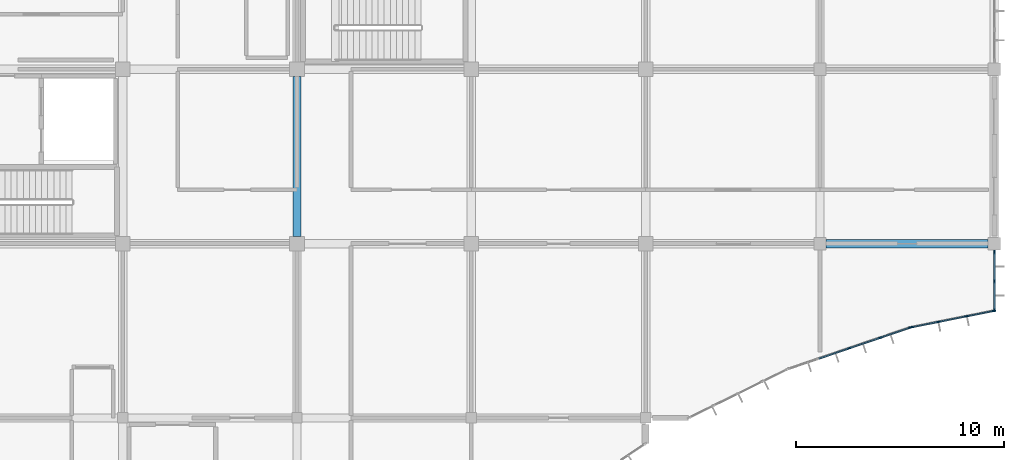
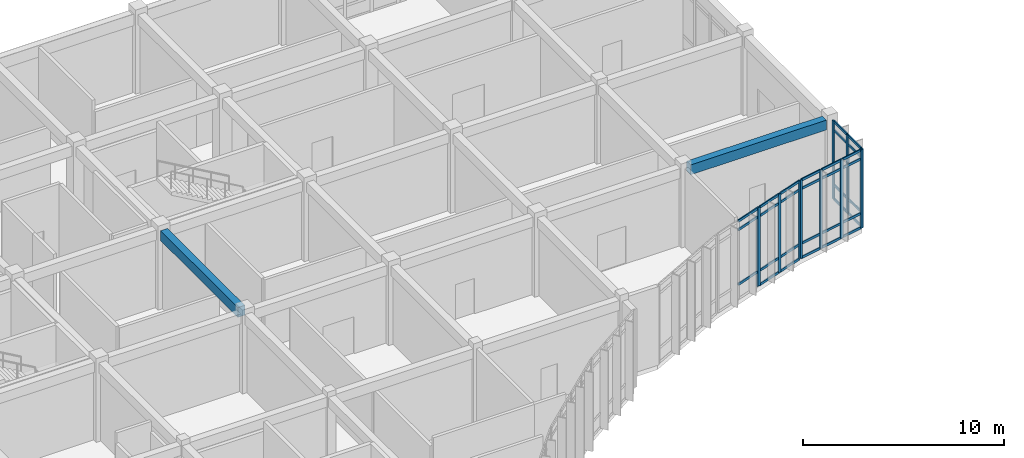
# One storey, part 62 of 134: 41 members, 2 beams, 3 elements without a shape of their own.
"""IFC4 building model written with IfcOpenShell, lengths in metres."""

from ifc_helpers import new_model, si_unit, direction, frame, origin, origin_2d, place, context, subcontext, project, spatial, rectangle, extrude, material, layer, layer_set, material_profile, profile_set, type_object, element, aggregate, save


model = new_model("IFC4")

# Units and contexts
model_context = context("Model", 3, precision=1e-05, world=origin(), true_north=direction((0.0, 1.0)))
body_context = subcontext(model_context, "Body", "Model", "MODEL_VIEW")
ifc_project = project(units=[si_unit("LENGTHUNIT", "METRE"), si_unit("AREAUNIT", "SQUARE_METRE"), si_unit("VOLUMEUNIT", "CUBIC_METRE"), si_unit("PLANEANGLEUNIT", "RADIAN"), si_unit("MASSUNIT", "GRAM", prefix="KILO")], contexts=[model_context])

# Site, building, storey
site_placement = place(None, origin())
site = spatial("IfcSite", under=ifc_project, at=site_placement, CompositionType="ELEMENT")
building_placement = place(site_placement, origin())
building = spatial("IfcBuilding", under=site, at=building_placement, Name="Bramfleet General Hospital", CompositionType="ELEMENT")
storey_placement = place(building_placement, frame((0.0, 0.0, 9.300048828125)))
storey = spatial("IfcBuildingStorey", under=building, at=storey_placement, Name="L02", CompositionType="ELEMENT", Elevation=9.300048828125)

# Beams
ifc_material_1 = material(Name="Concrete C35/45", Category="concrete")
ifc_material_profile_1 = material_profile(ifc_material_1, rectangle(XDim=0.39990234375, YDim=0.60009765625, at=origin_2d()), Name="RC BM 600x400")
ifc_profile_set_1 = profile_set([ifc_material_profile_1], Name="Concrete C35/45")
beam_type = type_object("IfcBeamType", Name="BM-RC600", PredefinedType="BEAM", material=ifc_profile_set_1)
beam_1_placement = place(storey_placement, frame((159.89990234375, 92.39990234375, 4.47998046875), z_axis=(1.0, 0.0, 0.0), x_axis=(0.0, 1.0, 0.0)))
element("IfcBeam", 1, at=beam_1_placement, inside=storey, type_object=beam_type, Name="L02 Grid Beam X 19-11", PredefinedType="BEAM", context=body_context, shape_type="SweptSolid", body=[
    extrude(rectangle(XDim=0.39990234375, YDim=0.60009765625, at=origin_2d()), origin(), (0.0, 0.0, 1.0), 7.800048828125),
])
beam_2_placement = place(storey_placement, frame((134.39990234375, 92.75, 4.47998046875), z_axis=(0.0, 1.0, 0.0), x_axis=(-1.0, 0.0, 0.0)))
element("IfcBeam", 2, at=beam_2_placement, inside=storey, type_object=beam_type, Name="L02 Grid Beam Y 16-11", PredefinedType="BEAM", context=body_context, shape_type="SweptSolid", body=[
    extrude(rectangle(XDim=0.39990234375, YDim=0.60009765625, at=origin_2d()), origin(), (0.0, 0.0, 1.0), 7.699951171875),
])

# Curtain wall, members
ifc_material_2 = material(Name="Anodised aluminium and low-E triple glazing", Category="aluminium")
ifc_layer_1 = layer(ifc_material_2, 0.179931640625, Name="CWT-CW-12")
ifc_layer_set_1 = layer_set([ifc_layer_1], Name="Anodised aluminium and low-E triple glazing")
curtain_wall_type_1 = type_object("IfcCurtainWallType", Name="CWT-CW-12", PredefinedType="USERDEFINED", material=ifc_layer_set_1)
curtain_wall_1_placement = place(storey_placement, origin())
curtain_wall_1 = element("IfcCurtainWall", 3, at=curtain_wall_1_placement, inside=storey, type_object=curtain_wall_type_1, Name="L02 Curtain Wall 102", ObjectType="Stick curtain wall", PredefinedType="USERDEFINED")
ifc_material_3 = material(Name="Structural timber GL28h", Category="wood")
ifc_material_profile_2 = material_profile(ifc_material_3, rectangle(XDim=0.070068359375, YDim=0.18994140625, at=origin_2d()), Name="LARCH 190x70")
ifc_profile_set_2 = profile_set([ifc_material_profile_2], Name="Structural timber GL28h")
member_type_1 = type_object("IfcMemberType", Name="CWM-LARCH450", PredefinedType="MULLION", material=ifc_profile_set_2)
member_1_placement = place(storey_placement, frame((168.0, 91.989990234375, 0.0), z_axis=(0.0, 0.0, 1.0), x_axis=(1.0, 0.0, 0.0)))
member_1 = element("IfcMember", 4, at=member_1_placement, type_object=member_type_1, Name="CW-12 mullion 1", PredefinedType="MULLION", context=body_context, shape_type="SweptSolid", body=[
    extrude(rectangle(XDim=0.070068359375, YDim=0.18994140625, at=origin_2d()), origin(), (0.0, 0.0, 1.0), 4.77001953125),
])
member_2_placement = place(storey_placement, frame((168.0, 90.594970703125, 0.0), z_axis=(0.0, 0.0, 1.0), x_axis=(1.0, 0.0, 0.0)))
member_2 = element("IfcMember", 5, at=member_2_placement, type_object=member_type_1, Name="CW-12 mullion 2", PredefinedType="MULLION", context=body_context, shape_type="SweptSolid", body=[
    extrude(rectangle(XDim=0.070068359375, YDim=0.18994140625, at=origin_2d()), origin(), (0.0, 0.0, 1.0), 4.77001953125),
])
member_3_placement = place(storey_placement, frame((168.0, 89.199951171875, 0.0), z_axis=(0.0, 0.0, 1.0), x_axis=(1.0, 0.0, 0.0)))
member_3 = element("IfcMember", 6, at=member_3_placement, type_object=member_type_1, Name="CW-12 mullion 3", PredefinedType="MULLION", context=body_context, shape_type="SweptSolid", body=[
    extrude(rectangle(XDim=0.070068359375, YDim=0.18994140625, at=origin_2d()), origin(), (0.0, 0.0, 1.0), 4.77001953125),
])

ifc_layer_2 = layer(ifc_material_2, 0.179931640625, Name="CWT-CW-13")
ifc_layer_set_2 = layer_set([ifc_layer_2], Name="Anodised aluminium and low-E triple glazing")
curtain_wall_type_2 = type_object("IfcCurtainWallType", Name="CWT-CW-13", PredefinedType="USERDEFINED", material=ifc_layer_set_2)
curtain_wall_2_placement = place(storey_placement, origin())
curtain_wall_2 = element("IfcCurtainWall", 7, at=curtain_wall_2_placement, inside=storey, type_object=curtain_wall_type_2, Name="L02 Curtain Wall 103", ObjectType="Stick curtain wall", PredefinedType="USERDEFINED")
member_4_placement = place(storey_placement, frame((167.965576171875, 89.158203125, 0.0), z_axis=(0.0, 0.0, 1.0), x_axis=(0.195272189606, -0.980749087161, 0.0)))
member_4 = element("IfcMember", 8, at=member_4_placement, type_object=member_type_1, Name="CW-13 mullion 1", PredefinedType="MULLION", context=body_context, shape_type="SweptSolid", body=[
    extrude(rectangle(XDim=0.070068359375, YDim=0.18994140625, at=origin_2d()), origin(), (0.0, 0.0, 1.0), 4.77001953125),
])
member_5_placement = place(storey_placement, frame((166.658935546875, 88.89794921875, 0.0), z_axis=(0.0, 0.0, 1.0), x_axis=(0.195272189606, -0.980749087161, 0.0)))
member_5 = element("IfcMember", 9, at=member_5_placement, type_object=member_type_1, Name="CW-13 mullion 2", PredefinedType="MULLION", context=body_context, shape_type="SweptSolid", body=[
    extrude(rectangle(XDim=0.070068359375, YDim=0.18994140625, at=origin_2d()), origin(), (0.0, 0.0, 1.0), 4.77001953125),
])
member_6_placement = place(storey_placement, frame((165.318115234375, 88.631103515625, 0.0), z_axis=(0.0, 0.0, 1.0), x_axis=(0.195272189606, -0.980749087161, 0.0)))
member_6 = element("IfcMember", 10, at=member_6_placement, type_object=member_type_1, Name="CW-13 mullion 3", PredefinedType="MULLION", context=body_context, shape_type="SweptSolid", body=[
    extrude(rectangle(XDim=0.070068359375, YDim=0.18994140625, at=origin_2d()), origin(), (0.0, 0.0, 1.0), 4.77001953125),
])
member_7_placement = place(storey_placement, frame((164.01123046875, 88.370849609375, 0.0), z_axis=(0.0, 0.0, 1.0), x_axis=(0.195272189606, -0.980749087161, 0.0)))
member_7 = element("IfcMember", 11, at=member_7_placement, type_object=member_type_1, Name="CW-13 mullion 4", PredefinedType="MULLION", context=body_context, shape_type="SweptSolid", body=[
    extrude(rectangle(XDim=0.070068359375, YDim=0.18994140625, at=origin_2d()), origin(), (0.0, 0.0, 1.0), 4.77001953125),
])

ifc_layer_3 = layer(ifc_material_2, 0.179931640625, Name="CWT-CW-14")
ifc_layer_set_3 = layer_set([ifc_layer_3], Name="Anodised aluminium and low-E triple glazing")
curtain_wall_type_3 = type_object("IfcCurtainWallType", Name="CWT-CW-14", PredefinedType="USERDEFINED", material=ifc_layer_set_3)
curtain_wall_3_placement = place(storey_placement, origin())
curtain_wall_3 = element("IfcCurtainWall", 12, at=curtain_wall_3_placement, inside=storey, type_object=curtain_wall_type_3, Name="L02 Curtain Wall 104", ObjectType="Stick curtain wall", PredefinedType="USERDEFINED")
member_8_placement = place(storey_placement, frame((163.94384765625, 88.352783203125, 0.0), z_axis=(0.0, 0.0, 1.0), x_axis=(0.321383054181, -0.946949276617, 0.0)))
member_8 = element("IfcMember", 13, at=member_8_placement, type_object=member_type_1, Name="CW-14 mullion 1", PredefinedType="MULLION", context=body_context, shape_type="SweptSolid", body=[
    extrude(rectangle(XDim=0.070068359375, YDim=0.18994140625, at=origin_2d()), origin(), (0.0, 0.0, 1.0), 4.77001953125),
])
member_9_placement = place(storey_placement, frame((162.490478515625, 87.859619140625, 0.0), z_axis=(0.0, 0.0, 1.0), x_axis=(0.321383054181, -0.946949276617, 0.0)))
member_9 = element("IfcMember", 14, at=member_9_placement, type_object=member_type_1, Name="CW-14 mullion 2", PredefinedType="MULLION", context=body_context, shape_type="SweptSolid", body=[
    extrude(rectangle(XDim=0.070068359375, YDim=0.18994140625, at=origin_2d()), origin(), (0.0, 0.0, 1.0), 4.77001953125),
])
member_10_placement = place(storey_placement, frame((161.00390625, 87.35498046875, 0.0), z_axis=(0.0, 0.0, 1.0), x_axis=(0.321383054181, -0.946949276617, 0.0)))
member_10 = element("IfcMember", 15, at=member_10_placement, type_object=member_type_1, Name="CW-14 mullion 3", PredefinedType="MULLION", context=body_context, shape_type="SweptSolid", body=[
    extrude(rectangle(XDim=0.070068359375, YDim=0.18994140625, at=origin_2d()), origin(), (0.0, 0.0, 1.0), 4.77001953125),
])

# Member
ifc_material_profile_3 = material_profile(ifc_material_3, rectangle(XDim=0.06494140625, YDim=0.14990234375, at=origin_2d()), Name="LARCH 150x65")
ifc_profile_set_3 = profile_set([ifc_material_profile_3], Name="Structural timber GL28h")
member_type_2 = type_object("IfcMemberType", Name="CWT-LARCH220", PredefinedType="USERDEFINED", material=ifc_profile_set_3)
member_11_placement = place(storey_placement, frame((168.0, 91.955078125, 0.032470703125), z_axis=(0.0, -1.0, 0.0), x_axis=(1.0, 0.0, 0.0)))
member_11 = element("IfcMember", 16, at=member_11_placement, type_object=member_type_2, Name="CW-12 transom 1.1", ObjectType="TRANSOM", PredefinedType="USERDEFINED", context=body_context, shape_type="SweptSolid", body=[
    extrude(rectangle(XDim=0.06494140625, YDim=0.14990234375, at=origin_2d()), origin(), (0.0, 0.0, 1.0), 1.3251953125),
])

member_12_placement = place(storey_placement, frame((168.0, 91.955078125, 0.89990234375), z_axis=(0.0, -1.0, 0.0), x_axis=(1.0, 0.0, 0.0)))
member_12 = element("IfcMember", 17, at=member_12_placement, type_object=member_type_2, Name="CW-12 transom 1.2", ObjectType="TRANSOM", PredefinedType="USERDEFINED", context=body_context, shape_type="SweptSolid", body=[
    extrude(rectangle(XDim=0.06494140625, YDim=0.14990234375, at=origin_2d()), origin(), (0.0, 0.0, 1.0), 1.3251953125),
])

member_13_placement = place(storey_placement, frame((168.0, 91.955078125, 4.219970703125), z_axis=(0.0, -1.0, 0.0), x_axis=(1.0, 0.0, 0.0)))
member_13 = element("IfcMember", 18, at=member_13_placement, type_object=member_type_2, Name="CW-12 transom 1.3", ObjectType="TRANSOM", PredefinedType="USERDEFINED", context=body_context, shape_type="SweptSolid", body=[
    extrude(rectangle(XDim=0.06494140625, YDim=0.14990234375, at=origin_2d()), origin(), (0.0, 0.0, 1.0), 1.3251953125),
])

member_14_placement = place(storey_placement, frame((168.0, 91.955078125, 4.737548828125), z_axis=(0.0, -1.0, 0.0), x_axis=(1.0, 0.0, 0.0)))
member_14 = element("IfcMember", 19, at=member_14_placement, type_object=member_type_2, Name="CW-12 transom 1.4", ObjectType="TRANSOM", PredefinedType="USERDEFINED", context=body_context, shape_type="SweptSolid", body=[
    extrude(rectangle(XDim=0.06494140625, YDim=0.14990234375, at=origin_2d()), origin(), (0.0, 0.0, 1.0), 1.3251953125),
])

member_15_placement = place(storey_placement, frame((168.0, 90.56005859375, 0.032470703125), z_axis=(0.0, -1.0, 0.0), x_axis=(1.0, 0.0, 0.0)))
member_15 = element("IfcMember", 20, at=member_15_placement, type_object=member_type_2, Name="CW-12 transom 2.1", ObjectType="TRANSOM", PredefinedType="USERDEFINED", context=body_context, shape_type="SweptSolid", body=[
    extrude(rectangle(XDim=0.06494140625, YDim=0.14990234375, at=origin_2d()), origin(), (0.0, 0.0, 1.0), 1.324951171875),
])

member_16_placement = place(storey_placement, frame((168.0, 90.56005859375, 0.89990234375), z_axis=(0.0, -1.0, 0.0), x_axis=(1.0, 0.0, 0.0)))
member_16 = element("IfcMember", 21, at=member_16_placement, type_object=member_type_2, Name="CW-12 transom 2.2", ObjectType="TRANSOM", PredefinedType="USERDEFINED", context=body_context, shape_type="SweptSolid", body=[
    extrude(rectangle(XDim=0.06494140625, YDim=0.14990234375, at=origin_2d()), origin(), (0.0, 0.0, 1.0), 1.324951171875),
])

member_17_placement = place(storey_placement, frame((168.0, 90.56005859375, 4.219970703125), z_axis=(0.0, -1.0, 0.0), x_axis=(1.0, 0.0, 0.0)))
member_17 = element("IfcMember", 22, at=member_17_placement, type_object=member_type_2, Name="CW-12 transom 2.3", ObjectType="TRANSOM", PredefinedType="USERDEFINED", context=body_context, shape_type="SweptSolid", body=[
    extrude(rectangle(XDim=0.06494140625, YDim=0.14990234375, at=origin_2d()), origin(), (0.0, 0.0, 1.0), 1.324951171875),
])

member_18_placement = place(storey_placement, frame((168.0, 90.56005859375, 4.737548828125), z_axis=(0.0, -1.0, 0.0), x_axis=(1.0, 0.0, 0.0)))
member_18 = element("IfcMember", 23, at=member_18_placement, type_object=member_type_2, Name="CW-12 transom 2.4", ObjectType="TRANSOM", PredefinedType="USERDEFINED", context=body_context, shape_type="SweptSolid", body=[
    extrude(rectangle(XDim=0.06494140625, YDim=0.14990234375, at=origin_2d()), origin(), (0.0, 0.0, 1.0), 1.324951171875),
])

aggregate(curtain_wall_1, [member_1, member_2, member_3, member_11, member_12, member_13, member_14, member_15, member_16, member_17, member_18])

member_19_placement = place(storey_placement, frame((167.931396484375, 89.1513671875, 0.032470703125), z_axis=(-0.980736573153, -0.195335030346, 0.0), x_axis=(0.195335030346, -0.980736573153, 0.0)))
member_19 = element("IfcMember", 24, at=member_19_placement, type_object=member_type_2, Name="CW-13 transom 1.1", ObjectType="TRANSOM", PredefinedType="USERDEFINED", context=body_context, shape_type="SweptSolid", body=[
    extrude(rectangle(XDim=0.06494140625, YDim=0.14990234375, at=origin_2d()), origin(), (0.0, 0.0, 1.0), 1.262451171875),
])

member_20_placement = place(storey_placement, frame((167.931396484375, 89.1513671875, 0.89990234375), z_axis=(-0.980736573153, -0.195335030346, 0.0), x_axis=(0.195335030346, -0.980736573153, 0.0)))
member_20 = element("IfcMember", 25, at=member_20_placement, type_object=member_type_2, Name="CW-13 transom 1.2", ObjectType="TRANSOM", PredefinedType="USERDEFINED", context=body_context, shape_type="SweptSolid", body=[
    extrude(rectangle(XDim=0.06494140625, YDim=0.14990234375, at=origin_2d()), origin(), (0.0, 0.0, 1.0), 1.262451171875),
])

member_21_placement = place(storey_placement, frame((167.931396484375, 89.1513671875, 4.219970703125), z_axis=(-0.980736573153, -0.195335030346, 0.0), x_axis=(0.195335030346, -0.980736573153, 0.0)))
member_21 = element("IfcMember", 26, at=member_21_placement, type_object=member_type_2, Name="CW-13 transom 1.3", ObjectType="TRANSOM", PredefinedType="USERDEFINED", context=body_context, shape_type="SweptSolid", body=[
    extrude(rectangle(XDim=0.06494140625, YDim=0.14990234375, at=origin_2d()), origin(), (0.0, 0.0, 1.0), 1.262451171875),
])

member_22_placement = place(storey_placement, frame((167.931396484375, 89.1513671875, 4.737548828125), z_axis=(-0.980736573153, -0.195335030346, 0.0), x_axis=(0.195335030346, -0.980736573153, 0.0)))
member_22 = element("IfcMember", 27, at=member_22_placement, type_object=member_type_2, Name="CW-13 transom 1.4", ObjectType="TRANSOM", PredefinedType="USERDEFINED", context=body_context, shape_type="SweptSolid", body=[
    extrude(rectangle(XDim=0.06494140625, YDim=0.14990234375, at=origin_2d()), origin(), (0.0, 0.0, 1.0), 1.262451171875),
])

member_23_placement = place(storey_placement, frame((166.624755859375, 88.89111328125, 0.032470703125), z_axis=(-0.9807756029, -0.195138967806, 0.0), x_axis=(0.195138967806, -0.9807756029, 0.0)))
member_23 = element("IfcMember", 28, at=member_23_placement, type_object=member_type_2, Name="CW-13 transom 2.1", ObjectType="TRANSOM", PredefinedType="USERDEFINED", context=body_context, shape_type="SweptSolid", body=[
    extrude(rectangle(XDim=0.06494140625, YDim=0.14990234375, at=origin_2d()), origin(), (0.0, 0.0, 1.0), 1.29736328125),
])

member_24_placement = place(storey_placement, frame((166.624755859375, 88.89111328125, 0.89990234375), z_axis=(-0.9807756029, -0.195138967806, 0.0), x_axis=(0.195138967806, -0.9807756029, 0.0)))
member_24 = element("IfcMember", 29, at=member_24_placement, type_object=member_type_2, Name="CW-13 transom 2.2", ObjectType="TRANSOM", PredefinedType="USERDEFINED", context=body_context, shape_type="SweptSolid", body=[
    extrude(rectangle(XDim=0.06494140625, YDim=0.14990234375, at=origin_2d()), origin(), (0.0, 0.0, 1.0), 1.29736328125),
])

member_25_placement = place(storey_placement, frame((166.624755859375, 88.89111328125, 4.219970703125), z_axis=(-0.9807756029, -0.195138967806, 0.0), x_axis=(0.195138967806, -0.9807756029, 0.0)))
member_25 = element("IfcMember", 30, at=member_25_placement, type_object=member_type_2, Name="CW-13 transom 2.3", ObjectType="TRANSOM", PredefinedType="USERDEFINED", context=body_context, shape_type="SweptSolid", body=[
    extrude(rectangle(XDim=0.06494140625, YDim=0.14990234375, at=origin_2d()), origin(), (0.0, 0.0, 1.0), 1.29736328125),
])

member_26_placement = place(storey_placement, frame((166.624755859375, 88.89111328125, 4.737548828125), z_axis=(-0.9807756029, -0.195138967806, 0.0), x_axis=(0.195138967806, -0.9807756029, 0.0)))
member_26 = element("IfcMember", 31, at=member_26_placement, type_object=member_type_2, Name="CW-13 transom 2.4", ObjectType="TRANSOM", PredefinedType="USERDEFINED", context=body_context, shape_type="SweptSolid", body=[
    extrude(rectangle(XDim=0.06494140625, YDim=0.14990234375, at=origin_2d()), origin(), (0.0, 0.0, 1.0), 1.29736328125),
])

member_27_placement = place(storey_placement, frame((165.28369140625, 88.624267578125, 0.032470703125), z_axis=(-0.980736573153, -0.195335030346, 0.0), x_axis=(0.195335030346, -0.980736573153, 0.0)))
member_27 = element("IfcMember", 32, at=member_27_placement, type_object=member_type_2, Name="CW-13 transom 3.1", ObjectType="TRANSOM", PredefinedType="USERDEFINED", context=body_context, shape_type="SweptSolid", body=[
    extrude(rectangle(XDim=0.06494140625, YDim=0.14990234375, at=origin_2d()), origin(), (0.0, 0.0, 1.0), 1.262451171875),
])

member_28_placement = place(storey_placement, frame((165.28369140625, 88.624267578125, 0.89990234375), z_axis=(-0.980736573153, -0.195335030346, 0.0), x_axis=(0.195335030346, -0.980736573153, 0.0)))
member_28 = element("IfcMember", 33, at=member_28_placement, type_object=member_type_2, Name="CW-13 transom 3.2", ObjectType="TRANSOM", PredefinedType="USERDEFINED", context=body_context, shape_type="SweptSolid", body=[
    extrude(rectangle(XDim=0.06494140625, YDim=0.14990234375, at=origin_2d()), origin(), (0.0, 0.0, 1.0), 1.262451171875),
])

member_29_placement = place(storey_placement, frame((165.28369140625, 88.624267578125, 4.219970703125), z_axis=(-0.980736573153, -0.195335030346, 0.0), x_axis=(0.195335030346, -0.980736573153, 0.0)))
member_29 = element("IfcMember", 34, at=member_29_placement, type_object=member_type_2, Name="CW-13 transom 3.3", ObjectType="TRANSOM", PredefinedType="USERDEFINED", context=body_context, shape_type="SweptSolid", body=[
    extrude(rectangle(XDim=0.06494140625, YDim=0.14990234375, at=origin_2d()), origin(), (0.0, 0.0, 1.0), 1.262451171875),
])

member_30_placement = place(storey_placement, frame((165.28369140625, 88.624267578125, 4.737548828125), z_axis=(-0.980736573153, -0.195335030346, 0.0), x_axis=(0.195335030346, -0.980736573153, 0.0)))
member_30 = element("IfcMember", 35, at=member_30_placement, type_object=member_type_2, Name="CW-13 transom 3.4", ObjectType="TRANSOM", PredefinedType="USERDEFINED", context=body_context, shape_type="SweptSolid", body=[
    extrude(rectangle(XDim=0.06494140625, YDim=0.14990234375, at=origin_2d()), origin(), (0.0, 0.0, 1.0), 1.262451171875),
])

aggregate(curtain_wall_2, [member_4, member_5, member_6, member_7, member_19, member_20, member_21, member_22, member_23, member_24, member_25, member_26, member_27, member_28, member_29, member_30])

member_31_placement = place(storey_placement, frame((163.91064453125, 88.341552734375, 0.032470703125), z_axis=(-0.946952433244, -0.321373753088, 0.0), x_axis=(0.321373753088, -0.946952433244, 0.0)))
member_31 = element("IfcMember", 36, at=member_31_placement, type_object=member_type_2, Name="CW-14 transom 1.1", ObjectType="TRANSOM", PredefinedType="USERDEFINED", context=body_context, shape_type="SweptSolid", body=[
    extrude(rectangle(XDim=0.06494140625, YDim=0.14990234375, at=origin_2d()), origin(), (0.0, 0.0, 1.0), 1.464599609375),
])

member_32_placement = place(storey_placement, frame((163.91064453125, 88.341552734375, 0.89990234375), z_axis=(-0.946952433244, -0.321373753088, 0.0), x_axis=(0.321373753088, -0.946952433244, 0.0)))
member_32 = element("IfcMember", 37, at=member_32_placement, type_object=member_type_2, Name="CW-14 transom 1.2", ObjectType="TRANSOM", PredefinedType="USERDEFINED", context=body_context, shape_type="SweptSolid", body=[
    extrude(rectangle(XDim=0.06494140625, YDim=0.14990234375, at=origin_2d()), origin(), (0.0, 0.0, 1.0), 1.464599609375),
])

member_33_placement = place(storey_placement, frame((163.91064453125, 88.341552734375, 4.219970703125), z_axis=(-0.946952433244, -0.321373753088, 0.0), x_axis=(0.321373753088, -0.946952433244, 0.0)))
member_33 = element("IfcMember", 38, at=member_33_placement, type_object=member_type_2, Name="CW-14 transom 1.3", ObjectType="TRANSOM", PredefinedType="USERDEFINED", context=body_context, shape_type="SweptSolid", body=[
    extrude(rectangle(XDim=0.06494140625, YDim=0.14990234375, at=origin_2d()), origin(), (0.0, 0.0, 1.0), 1.464599609375),
])

member_34_placement = place(storey_placement, frame((163.91064453125, 88.341552734375, 4.737548828125), z_axis=(-0.946952433244, -0.321373753088, 0.0), x_axis=(0.321373753088, -0.946952433244, 0.0)))
member_34 = element("IfcMember", 39, at=member_34_placement, type_object=member_type_2, Name="CW-14 transom 1.4", ObjectType="TRANSOM", PredefinedType="USERDEFINED", context=body_context, shape_type="SweptSolid", body=[
    extrude(rectangle(XDim=0.06494140625, YDim=0.14990234375, at=origin_2d()), origin(), (0.0, 0.0, 1.0), 1.464599609375),
])

member_35_placement = place(storey_placement, frame((162.457275390625, 87.84814453125, 0.032470703125), z_axis=(-0.946960124542, -0.321351089195, 0.0), x_axis=(0.321351089195, -0.946960124542, 0.0)))
member_35 = element("IfcMember", 40, at=member_35_placement, type_object=member_type_2, Name="CW-14 transom 2.1", ObjectType="TRANSOM", PredefinedType="USERDEFINED", context=body_context, shape_type="SweptSolid", body=[
    extrude(rectangle(XDim=0.06494140625, YDim=0.14990234375, at=origin_2d()), origin(), (0.0, 0.0, 1.0), 1.499755859375),
])

member_36_placement = place(storey_placement, frame((162.457275390625, 87.84814453125, 0.89990234375), z_axis=(-0.946960124542, -0.321351089195, 0.0), x_axis=(0.321351089195, -0.946960124542, 0.0)))
member_36 = element("IfcMember", 41, at=member_36_placement, type_object=member_type_2, Name="CW-14 transom 2.2", ObjectType="TRANSOM", PredefinedType="USERDEFINED", context=body_context, shape_type="SweptSolid", body=[
    extrude(rectangle(XDim=0.06494140625, YDim=0.14990234375, at=origin_2d()), origin(), (0.0, 0.0, 1.0), 1.499755859375),
])

member_37_placement = place(storey_placement, frame((162.457275390625, 87.84814453125, 4.219970703125), z_axis=(-0.946960124542, -0.321351089195, 0.0), x_axis=(0.321351089195, -0.946960124542, 0.0)))
member_37 = element("IfcMember", 42, at=member_37_placement, type_object=member_type_2, Name="CW-14 transom 2.3", ObjectType="TRANSOM", PredefinedType="USERDEFINED", context=body_context, shape_type="SweptSolid", body=[
    extrude(rectangle(XDim=0.06494140625, YDim=0.14990234375, at=origin_2d()), origin(), (0.0, 0.0, 1.0), 1.499755859375),
])

member_38_placement = place(storey_placement, frame((162.457275390625, 87.84814453125, 4.737548828125), z_axis=(-0.946960124542, -0.321351089195, 0.0), x_axis=(0.321351089195, -0.946960124542, 0.0)))
member_38 = element("IfcMember", 43, at=member_38_placement, type_object=member_type_2, Name="CW-14 transom 2.4", ObjectType="TRANSOM", PredefinedType="USERDEFINED", context=body_context, shape_type="SweptSolid", body=[
    extrude(rectangle(XDim=0.06494140625, YDim=0.14990234375, at=origin_2d()), origin(), (0.0, 0.0, 1.0), 1.499755859375),
])

member_39_placement = place(storey_placement, frame((160.970947265625, 87.34375, 0.89990234375), z_axis=(-0.946976931603, -0.321301557749, 0.0), x_axis=(0.321301557749, -0.946976931603, 0.0)))
member_39 = element("IfcMember", 44, at=member_39_placement, type_object=member_type_2, Name="CW-14 transom 3.2", ObjectType="TRANSOM", PredefinedType="USERDEFINED", context=body_context, shape_type="SweptSolid", body=[
    extrude(rectangle(XDim=0.06494140625, YDim=0.14990234375, at=origin_2d()), origin(), (0.0, 0.0, 1.0), 1.5),
])

member_40_placement = place(storey_placement, frame((160.970947265625, 87.34375, 4.219970703125), z_axis=(-0.946976931603, -0.321301557749, 0.0), x_axis=(0.321301557749, -0.946976931603, 0.0)))
member_40 = element("IfcMember", 45, at=member_40_placement, type_object=member_type_2, Name="CW-14 transom 3.3", ObjectType="TRANSOM", PredefinedType="USERDEFINED", context=body_context, shape_type="SweptSolid", body=[
    extrude(rectangle(XDim=0.06494140625, YDim=0.14990234375, at=origin_2d()), origin(), (0.0, 0.0, 1.0), 1.5),
])

member_41_placement = place(storey_placement, frame((160.970947265625, 87.34375, 4.737548828125), z_axis=(-0.946976931603, -0.321301557749, 0.0), x_axis=(0.321301557749, -0.946976931603, 0.0)))
member_41 = element("IfcMember", 46, at=member_41_placement, type_object=member_type_2, Name="CW-14 transom 3.4", ObjectType="TRANSOM", PredefinedType="USERDEFINED", context=body_context, shape_type="SweptSolid", body=[
    extrude(rectangle(XDim=0.06494140625, YDim=0.14990234375, at=origin_2d()), origin(), (0.0, 0.0, 1.0), 1.5),
])

aggregate(curtain_wall_3, [member_8, member_9, member_10, member_31, member_32, member_33, member_34, member_35, member_36, member_37, member_38, member_39, member_40, member_41])

save(model, "model.ifc")
